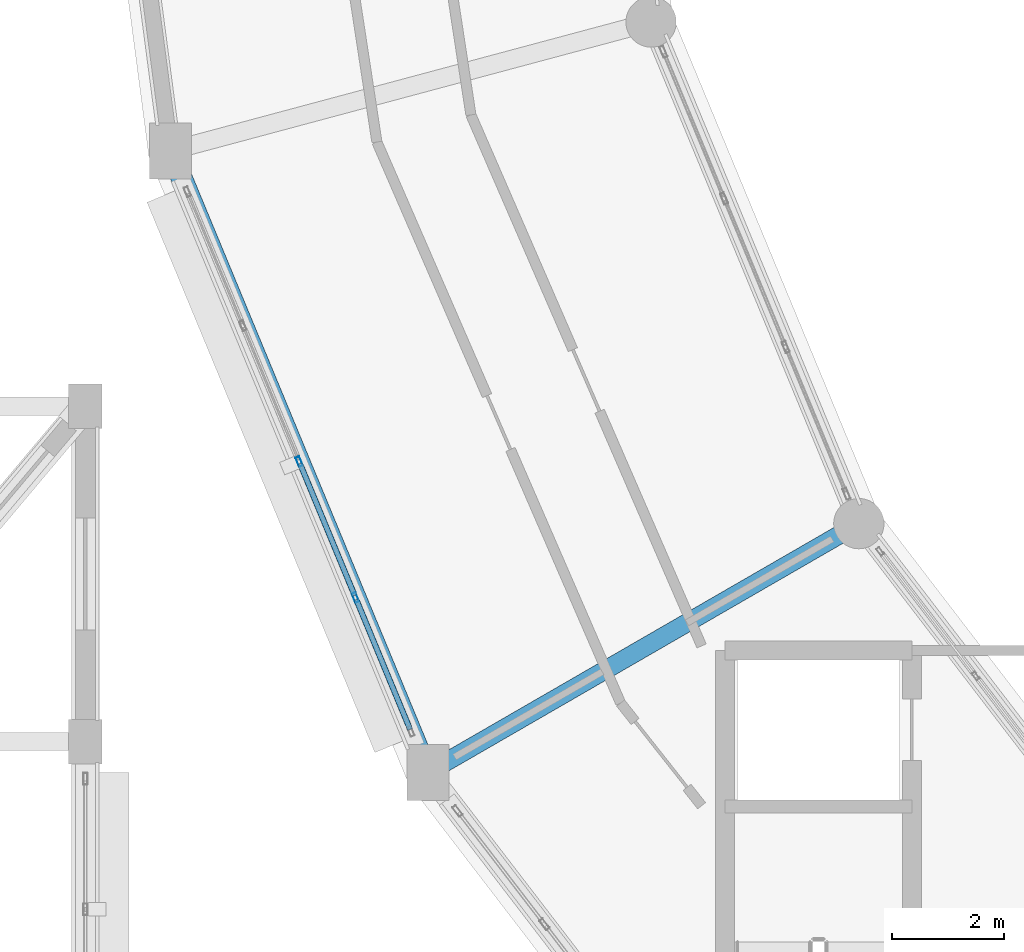
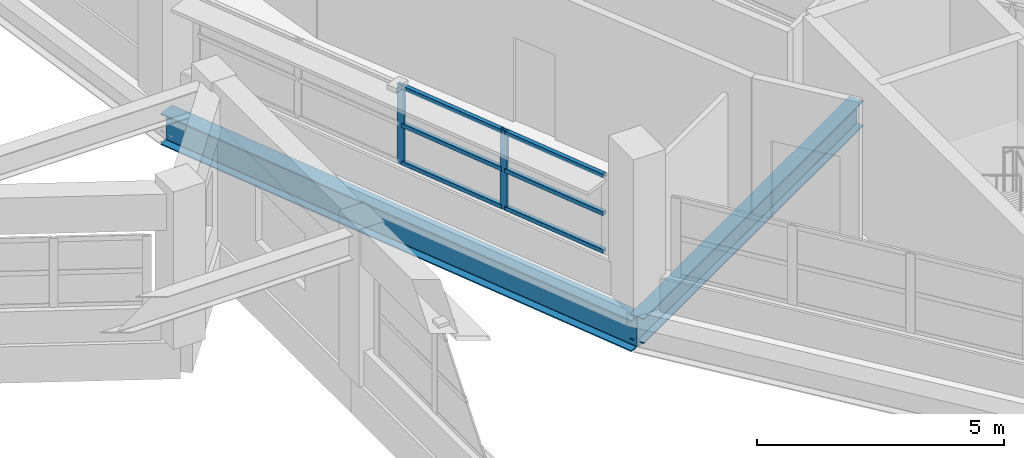
# One storey, part 31 of 108: 8 members, 2 beams, 1 element without a shape of its own.
"""IFC4 building model written with IfcOpenShell, lengths in metres."""

from ifc_helpers import new_model, si_unit, direction, frame, origin, origin_2d, place, context, subcontext, project, spatial, hollow_rectangle, i_section, extrude, material, layer, layer_set, material_profile, profile_set, type_object, element, aggregate, save


model = new_model("IFC4")

# Units and contexts
model_context = context("Model", 3, precision=1e-05, world=origin(), true_north=direction((0.0, 1.0)))
body_context = subcontext(model_context, "Body", "Model", "MODEL_VIEW")
ifc_project = project(units=[si_unit("LENGTHUNIT", "METRE"), si_unit("AREAUNIT", "SQUARE_METRE"), si_unit("VOLUMEUNIT", "CUBIC_METRE"), si_unit("PLANEANGLEUNIT", "RADIAN"), si_unit("MASSUNIT", "GRAM", prefix="KILO")], contexts=[model_context])

# Site, building, storey
site_placement = place(None, origin())
site = spatial("IfcSite", under=ifc_project, at=site_placement, CompositionType="ELEMENT")
building_placement = place(site_placement, origin())
building = spatial("IfcBuilding", under=site, at=building_placement, Name="Vespera Passage Community Centre", CompositionType="ELEMENT")
storey_placement = place(building_placement, frame((0.0, 0.0, 12.60009765625)))
storey = spatial("IfcBuildingStorey", under=building, at=storey_placement, Name="L03", CompositionType="ELEMENT", Elevation=12.60009765625)

# Beams
ifc_material_1 = material(Name="Steel ASTM A992 Grade 50", Category="steel")
ifc_material_profile_1 = material_profile(ifc_material_1, i_section(OverallWidth=0.32763671875, OverallDepth=0.62841796875, WebThickness=0.0166015625, FlangeThickness=0.027587890625, FilletRadius=0.0126953125, at=origin_2d()), Name="W24X146")
ifc_profile_set_1 = profile_set([ifc_material_profile_1], Name="Steel ASTM A992 Grade 50")
beam_type_1 = type_object("IfcBeamType", Name="BM-G-W24X146", PredefinedType="BEAM", material=ifc_profile_set_1)
beam_1_placement = place(storey_placement, frame((45.783935546875, 46.89990234375, -0.71435546875), z_axis=(-0.866031643847, -0.499989191739, 0.0), x_axis=(0.499989191739, -0.866031643847, 0.0)))
element("IfcBeam", 1, at=beam_1_placement, inside=storey, type_object=beam_type_1, Name="V4 L03 Radial Girder 14", PredefinedType="BEAM", context=body_context, shape_type="SweptSolid", body=[
    extrude(i_section(OverallWidth=0.32763671875, OverallDepth=0.62841796875, WebThickness=0.0166015625, FlangeThickness=0.027587890625, FilletRadius=0.0126953125, at=origin_2d()), origin(), (0.0, 0.0, 1.0), 8.900146484375),
])
ifc_material_2 = material(Name="Steel ASTM A992 Grade 50", Category="steel")
ifc_material_profile_2 = material_profile(ifc_material_2, i_section(OverallWidth=0.382080078125, OverallDepth=0.779296875, WebThickness=0.01806640625, FlangeThickness=0.030029296875, FilletRadius=0.0166015625, at=origin_2d()), Name="W30X191")
ifc_profile_set_2 = profile_set([ifc_material_profile_2], Name="Steel ASTM A992 Grade 50")
beam_type_2 = type_object("IfcBeamType", Name="BM-SP-W30X191E", PredefinedType="SPANDREL", material=ifc_profile_set_2)
beam_2_placement = place(storey_placement, frame((33.470703125, 53.568359375, -0.789794921875), z_axis=(0.382688629799, -0.923877379647, 0.0), x_axis=(0.923877379647, 0.382688629799, 0.0)))
element("IfcBeam", 2, at=beam_2_placement, inside=storey, type_object=beam_type_2, Name="V4 L03 Outer Spandrel 13", PredefinedType="SPANDREL", context=body_context, shape_type="SweptSolid", body=[
    extrude(i_section(OverallWidth=0.382080078125, OverallDepth=0.779296875, WebThickness=0.01806640625, FlangeThickness=0.030029296875, FilletRadius=0.0166015625, at=origin_2d()), origin(), (0.0, 0.0, 1.0), 12.034423828125),
])

# Curtain wall, members
ifc_material_3 = material(Name="Anodized aluminium 6063-T6", Category="aluminium")
ifc_layer = layer(ifc_material_3, 0.159912109375)
ifc_layer_set = layer_set([ifc_layer], Name="Anodized aluminium 6063-T6")
curtain_wall_type = type_object("IfcCurtainWallType", Name="CW-49E", PredefinedType="NOTDEFINED", material=ifc_layer_set)
curtain_wall_placement = place(storey_placement, origin())
curtain_wall = element("IfcCurtainWall", 3, at=curtain_wall_placement, inside=storey, type_object=curtain_wall_type, Name="V4 L03 Outer Ribbon Curtain Wall 13", PredefinedType="NOTDEFINED")
ifc_material_4 = material(Name="Anodized aluminium 6063-T6", Category="aluminium")
ifc_material_profile_3 = material_profile(ifc_material_4, hollow_rectangle(XDim=0.074951171875, YDim=0.179931640625, WallThickness=0.0048828125, InnerFilletRadius=0.00244140625, OuterFilletRadius=0.0048828125, at=origin_2d()), Name="ALU180X75X5")
ifc_profile_set_3 = profile_set([ifc_material_profile_3], Name="Anodized aluminium 6063-T6")
member_type_1 = type_object("IfcMemberType", Name="MB-CWM-180E", PredefinedType="MULLION", material=ifc_profile_set_3)
member_1_placement = place(storey_placement, frame((36.780029296875, 45.578857421875, 0.81982421875), z_axis=(0.0, 0.0, 1.0), x_axis=(-0.923881309405, -0.382679142535, 0.0)))
member_1 = element("IfcMember", 4, at=member_1_placement, type_object=member_type_1, Name="CW-49E mullion 2", PredefinedType="MULLION", context=body_context, shape_type="SweptSolid", body=[
    extrude(hollow_rectangle(XDim=0.074951171875, YDim=0.179931640625, WallThickness=0.0048828125, InnerFilletRadius=0.00244140625, OuterFilletRadius=0.0048828125, at=origin_2d()), origin(), (0.0, 0.0, 1.0), 1.965576171875),
])
member_2_placement = place(storey_placement, frame((35.7734375, 48.00927734375, 0.81982421875), z_axis=(0.0, 0.0, 1.0), x_axis=(-0.923881309405, -0.382679142535, 0.0)))
member_2 = element("IfcMember", 5, at=member_2_placement, type_object=member_type_1, Name="CW-49E mullion 3", PredefinedType="MULLION", context=body_context, shape_type="SweptSolid", body=[
    extrude(hollow_rectangle(XDim=0.074951171875, YDim=0.179931640625, WallThickness=0.0048828125, InnerFilletRadius=0.00244140625, OuterFilletRadius=0.0048828125, at=origin_2d()), origin(), (0.0, 0.0, 1.0), 1.965576171875),
])
ifc_material_5 = material(Name="Anodized aluminium 6063-T6", Category="aluminium")
ifc_material_profile_4 = material_profile(ifc_material_5, hollow_rectangle(XDim=0.10009765625, YDim=0.10009765625, WallThickness=0.00390625, InnerFilletRadius=0.001953125, OuterFilletRadius=0.00390625, at=origin_2d()), Name="ALU100X100X4")
ifc_profile_set_4 = profile_set([ifc_material_profile_4], Name="Anodized aluminium 6063-T6")
member_type_2 = type_object("IfcMemberType", Name="MB-CWT-100E", PredefinedType="USERDEFINED", material=ifc_profile_set_4)
member_3_placement = place(storey_placement, frame((37.758056640625, 43.2177734375, 0.869873046875), z_axis=(-0.3826800364, 0.923880939159, 0.0), x_axis=(-0.923880939159, -0.3826800364, 0.0)))
member_3 = element("IfcMember", 6, at=member_3_placement, type_object=member_type_2, Name="CW-49E transom 1.1", ObjectType="TRANSOM", PredefinedType="USERDEFINED", context=body_context, shape_type="SweptSolid", body=[
    extrude(hollow_rectangle(XDim=0.10009765625, YDim=0.10009765625, WallThickness=0.00390625, InnerFilletRadius=0.001953125, OuterFilletRadius=0.00390625, at=origin_2d()), origin(), (0.0, 0.0, 1.0), 2.51806640625),
])
member_4_placement = place(storey_placement, frame((37.758056640625, 43.2177734375, 1.802734375), z_axis=(-0.3826800364, 0.923880939159, 0.0), x_axis=(-0.923880939159, -0.3826800364, 0.0)))
member_4 = element("IfcMember", 7, at=member_4_placement, type_object=member_type_2, Name="CW-49E transom 1.2", ObjectType="TRANSOM", PredefinedType="USERDEFINED", context=body_context, shape_type="SweptSolid", body=[
    extrude(hollow_rectangle(XDim=0.10009765625, YDim=0.10009765625, WallThickness=0.00390625, InnerFilletRadius=0.001953125, OuterFilletRadius=0.00390625, at=origin_2d()), origin(), (0.0, 0.0, 1.0), 2.51806640625),
])
member_5_placement = place(storey_placement, frame((37.758056640625, 43.2177734375, 2.735595703125), z_axis=(-0.3826800364, 0.923880939159, 0.0), x_axis=(-0.923880939159, -0.3826800364, 0.0)))
member_5 = element("IfcMember", 8, at=member_5_placement, type_object=member_type_2, Name="CW-49E transom 1.3", ObjectType="TRANSOM", PredefinedType="USERDEFINED", context=body_context, shape_type="SweptSolid", body=[
    extrude(hollow_rectangle(XDim=0.10009765625, YDim=0.10009765625, WallThickness=0.00390625, InnerFilletRadius=0.001953125, OuterFilletRadius=0.00390625, at=origin_2d()), origin(), (0.0, 0.0, 1.0), 2.51806640625),
])
member_6_placement = place(storey_placement, frame((36.765869140625, 45.613525390625, 0.869873046875), z_axis=(-0.382694900027, 0.923874782367, 0.0), x_axis=(-0.923874782367, -0.382694900027, 0.0)))
member_6 = element("IfcMember", 9, at=member_6_placement, type_object=member_type_2, Name="CW-49E transom 2.1", ObjectType="TRANSOM", PredefinedType="USERDEFINED", context=body_context, shape_type="SweptSolid", body=[
    extrude(hollow_rectangle(XDim=0.10009765625, YDim=0.10009765625, WallThickness=0.00390625, InnerFilletRadius=0.001953125, OuterFilletRadius=0.00390625, at=origin_2d()), origin(), (0.0, 0.0, 1.0), 2.5556640625),
])
member_7_placement = place(storey_placement, frame((36.765869140625, 45.613525390625, 1.802734375), z_axis=(-0.382694900027, 0.923874782367, 0.0), x_axis=(-0.923874782367, -0.382694900027, 0.0)))
member_7 = element("IfcMember", 10, at=member_7_placement, type_object=member_type_2, Name="CW-49E transom 2.2", ObjectType="TRANSOM", PredefinedType="USERDEFINED", context=body_context, shape_type="SweptSolid", body=[
    extrude(hollow_rectangle(XDim=0.10009765625, YDim=0.10009765625, WallThickness=0.00390625, InnerFilletRadius=0.001953125, OuterFilletRadius=0.00390625, at=origin_2d()), origin(), (0.0, 0.0, 1.0), 2.5556640625),
])
member_8_placement = place(storey_placement, frame((36.765869140625, 45.613525390625, 2.735595703125), z_axis=(-0.382694900027, 0.923874782367, 0.0), x_axis=(-0.923874782367, -0.382694900027, 0.0)))
member_8 = element("IfcMember", 11, at=member_8_placement, type_object=member_type_2, Name="CW-49E transom 2.3", ObjectType="TRANSOM", PredefinedType="USERDEFINED", context=body_context, shape_type="SweptSolid", body=[
    extrude(hollow_rectangle(XDim=0.10009765625, YDim=0.10009765625, WallThickness=0.00390625, InnerFilletRadius=0.001953125, OuterFilletRadius=0.00390625, at=origin_2d()), origin(), (0.0, 0.0, 1.0), 2.5556640625),
])
aggregate(curtain_wall, [member_1, member_2, member_3, member_4, member_5, member_6, member_7, member_8])

save(model, "model.ifc")
